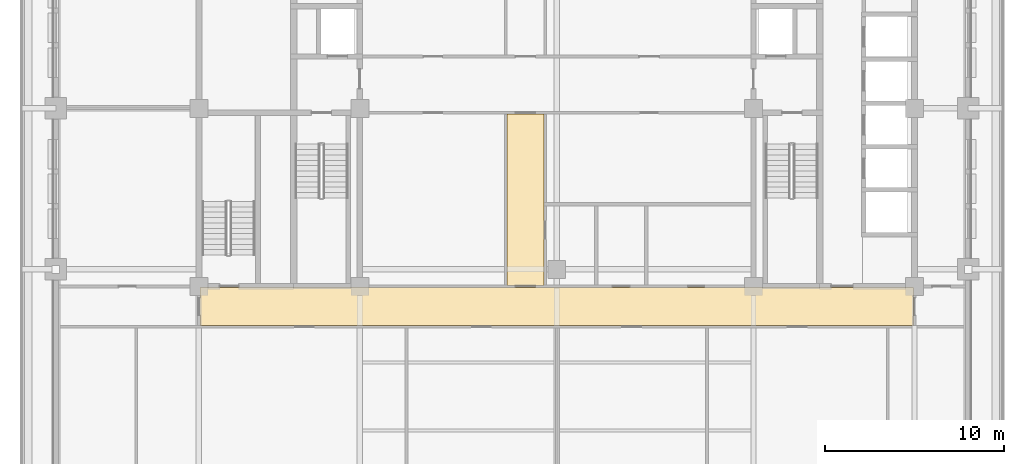
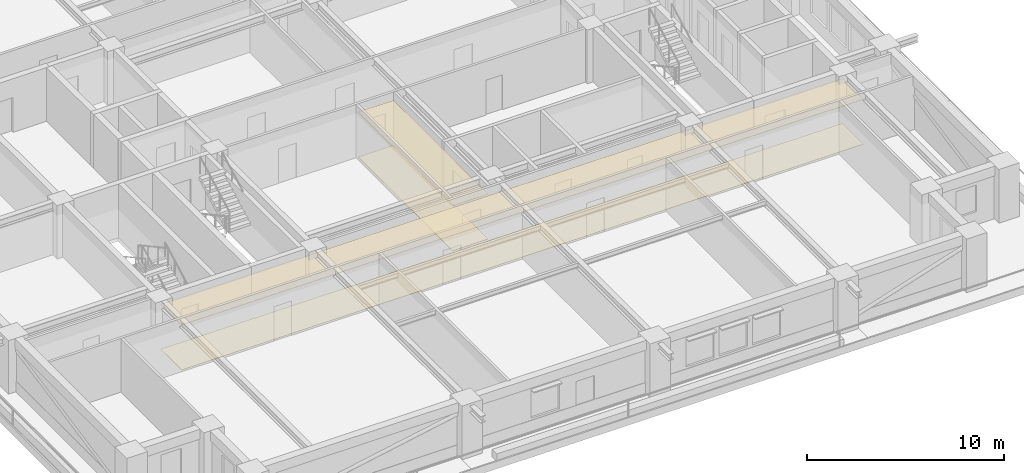
# One storey, part 11 of 14: 4 coverings.
"""IFC4 building model written with IfcOpenShell, lengths in metres."""

import ifcopenshell
import ifcopenshell.guid

model = None  # the IFC model being written
_history = None  # IfcOwnerHistory: only IFC2X3 demands one
_inside = {}  # id of a spatial element -> (the spatial element, [elements in it])
_under = {}  # id of a project, library or spatial element -> (it, [spatial elements below it])
_declared = {}  # id of a project -> (the project, [libraries it declares])
_typed = {}  # id of a type object -> (the type object, [elements of that type])
_made_of = {}  # id of a material, layer set ... -> (it, [elements and type objects made of it])


def new_model(schema):
    """Start an empty IFC model of exactly this schema.

    Asked for "IFC4X3", IfcOpenShell would pick the latest addendum, in which some entities
    have other attributes; the version numbers below select the first issue.
    IFC2X3 requires an IfcOwnerHistory on every rooted entity: one is made here for all.
    """
    global model, _history
    if schema == "IFC4X3":
        model = ifcopenshell.file(schema_version=(4, 3, 0, 0))
    else:
        model = ifcopenshell.file(schema=schema)
    _inside.clear()
    _under.clear()
    _declared.clear()
    _typed.clear()
    _made_of.clear()
    _history = None
    if model.schema == "IFC2X3":
        org = make("IfcOrganization", Name="unknown")
        user = make(
            "IfcPersonAndOrganization",
            ThePerson=make("IfcPerson", FamilyName="unknown"),
            TheOrganization=org,
        )
        app = make(
            "IfcApplication",
            ApplicationDeveloper=org,
            Version="unknown",
            ApplicationFullName="unknown",
            ApplicationIdentifier="unknown",
        )
        _history = make(
            "IfcOwnerHistory",
            OwningUser=user,
            OwningApplication=app,
            ChangeAction="ADDED",
            CreationDate=0,
        )
    return model


def make(cls, **values):
    """One entity of the class cls with the attributes given. An attribute that is None is left unset."""
    return model.create_entity(
        cls, **{name: value for name, value in values.items() if value is not None}
    )


def rooted(cls, **values):
    """An entity with a GlobalId (a new one), such as an element, a storey or a relation."""
    return make(cls, GlobalId=ifcopenshell.guid.new(), OwnerHistory=_history, **values)


def si_unit(unit_type, name, prefix=None):
    """IfcSIUnit, for example si_unit("LENGTHUNIT", "METRE", prefix="MILLI")."""
    return make("IfcSIUnit", UnitType=unit_type, Prefix=prefix, Name=name)


def assignment(units):
    """IfcUnitAssignment: the units of a project."""
    return None if units is None else make("IfcUnitAssignment", Units=units)


def point(xyz):
    """IfcCartesianPoint."""
    return None if xyz is None else make("IfcCartesianPoint", Coordinates=xyz)


def direction(xyz):
    """IfcDirection."""
    return None if xyz is None else make("IfcDirection", DirectionRatios=xyz)


def frame(location, z_axis=None, x_axis=None):
    """IfcAxis2Placement3D, a coordinate frame: its origin and axes. An axis left out is left unset."""
    return make(
        "IfcAxis2Placement3D",
        Location=point(location),
        Axis=direction(z_axis),
        RefDirection=direction(x_axis),
    )


def origin():
    """The frame at (0, 0, 0) with its axes left unset."""
    return frame((0.0, 0.0, 0.0))


def place(relative_to, where):
    """IfcLocalPlacement: puts the frame where relative to a parent placement (None: the world)."""
    return make(
        "IfcLocalPlacement", PlacementRelTo=relative_to, RelativePlacement=where
    )


def context(
    kind, dimensions, precision=None, world=None, true_north=None, identifier=None
):
    """IfcGeometricRepresentationContext, for example the 3D "Model" context."""
    return make(
        "IfcGeometricRepresentationContext",
        ContextIdentifier=identifier,
        ContextType=kind,
        CoordinateSpaceDimension=dimensions,
        Precision=precision,
        WorldCoordinateSystem=world,
        TrueNorth=true_north,
    )


def subcontext(parent, identifier, kind, view, scale=None):
    """IfcGeometricRepresentationSubContext, for example "Body" below "Model"."""
    return make(
        "IfcGeometricRepresentationSubContext",
        ContextIdentifier=identifier,
        ContextType=kind,
        ParentContext=parent,
        TargetScale=scale,
        TargetView=view,
    )


def project(units=None, contexts=None):
    """IfcProject with its units and contexts."""
    return rooted(
        "IfcProject",
        Name="project",
        RepresentationContexts=contexts,
        UnitsInContext=assignment(units),
    )


def spatial(cls, under=None, at=None, **own):
    """A site, building, storey or space (cls), placed at a placement, below another one or the project."""
    s = rooted(cls, ObjectPlacement=at, **own)
    if under is not None:
        _under.setdefault(under.id(), (under, []))[1].append(s)
    return s


def polyline(points):
    """IfcPolyline through the points."""
    return make("IfcPolyline", Points=[point(p) for p in points])


def outline(outer, holes=None, kind="AREA"):
    """IfcArbitraryClosedProfileDef: a profile drawn as a closed curve; with holes, ...WithVoids."""
    if holes is None:
        return make("IfcArbitraryClosedProfileDef", ProfileType=kind, OuterCurve=outer)
    return make(
        "IfcArbitraryProfileDefWithVoids",
        ProfileType=kind,
        OuterCurve=outer,
        InnerCurves=holes,
    )


def extrude(swept, where, along, depth):
    """IfcExtrudedAreaSolid: the profile swept, set in the frame where, extruded along a direction by depth."""
    return make(
        "IfcExtrudedAreaSolid",
        SweptArea=swept,
        Position=where,
        ExtrudedDirection=direction(along),
        Depth=depth,
    )


def shape(context_of_items, identifier, shape_type, items):
    """IfcShapeRepresentation: the items that make up one representation, for example the "Body"."""
    return make(
        "IfcShapeRepresentation",
        ContextOfItems=context_of_items,
        RepresentationIdentifier=identifier,
        RepresentationType=shape_type,
        Items=items,
    )


def material(Name=None, Category=None):
    """IfcMaterial."""
    return make("IfcMaterial", Name=Name, Category=Category)


def layer(
    of_material, thickness, ventilated=None, Name=None, Category=None, Priority=None
):
    """IfcMaterialLayer: one layer of a wall or slab, of a material (None: an air gap)."""
    return make(
        "IfcMaterialLayer",
        Material=of_material,
        LayerThickness=thickness,
        IsVentilated=ventilated,
        Name=Name,
        Category=Category,
        Priority=Priority,
    )


def layer_set(layers, Name=None):
    """IfcMaterialLayerSet."""
    return make("IfcMaterialLayerSet", MaterialLayers=layers, LayerSetName=Name)


def made_of(thing, what):
    """Note that an element or type object is made of a material, layer set ...; save() writes the relation."""
    if what is not None:
        _made_of.setdefault(what.id(), (what, []))[1].append(thing)
    return thing


def type_object(cls, material=None, **own):
    """A type object (cls), such as IfcWallType, which elements share."""
    return made_of(rooted(cls, **own), material)


def element(
    cls,
    number,
    at=None,
    inside=None,
    cuts=None,
    type_object=None,
    material=None,
    context=None,
    identifier="Body",
    shape_type=None,
    held_by="IfcProductDefinitionShape",
    body=None,
    shapes=None,
    **own,
):
    """One element of the class cls, such as IfcWall. Its Tag is "e" and its number.

    at: its placement. inside: the storey or other place that contains it. cuts: it is an
    opening in that element (IfcRelVoidsElement). A single representation is given by context,
    identifier, shape_type and body (its items); several are given by shapes. held_by: the class
    of the entity that holds the representations. save() writes the other relations.
    """
    e = rooted(cls, Tag="e%d" % number, ObjectPlacement=at, **own)
    if body is not None:
        shapes = [shape(context, identifier, shape_type, body)]
    if shapes is not None:
        e.Representation = make(held_by, Representations=shapes)
    if inside is not None:
        _inside.setdefault(inside.id(), (inside, []))[1].append(e)
    if cuts is not None:
        rooted(
            "IfcRelVoidsElement", RelatingBuildingElement=cuts, RelatedOpeningElement=e
        )
    if type_object is not None:
        _typed.setdefault(type_object.id(), (type_object, []))[1].append(e)
    return made_of(e, material)


def aggregate(whole, parts):
    """IfcRelAggregates: a whole, such as a stair, and the parts it consists of."""
    return rooted("IfcRelAggregates", RelatingObject=whole, RelatedObjects=parts)


def save(model, path):
    """Write the relations noted so far, then the file.

    IfcRelAggregates (storeys below a building ...), IfcRelContainedInSpatialStructure (elements
    in a storey), IfcRelDefinesByType, IfcRelAssociatesMaterial and IfcRelDeclares: one each for
    every whole, place, type object, material and project.
    """
    for whole, parts in _under.values():
        aggregate(whole, parts)
    for where, things in _inside.values():
        rooted(
            "IfcRelContainedInSpatialStructure",
            RelatedElements=things,
            RelatingStructure=where,
        )
    for kind, things in _typed.values():
        rooted("IfcRelDefinesByType", RelatedObjects=things, RelatingType=kind)
    for what, things in _made_of.values():
        rooted("IfcRelAssociatesMaterial", RelatedObjects=things, RelatingMaterial=what)
    for by, libraries in _declared.values():
        rooted("IfcRelDeclares", RelatingContext=by, RelatedDefinitions=libraries)
    model.write(path)


model = new_model("IFC4")

# Units and contexts
model_context = context("Model", 3, precision=1e-05, world=origin(), true_north=direction((0.0, 1.0)))
body_context = subcontext(model_context, "Body", "Model", "MODEL_VIEW")
ifc_project = project(units=[si_unit("LENGTHUNIT", "METRE"), si_unit("AREAUNIT", "SQUARE_METRE"), si_unit("VOLUMEUNIT", "CUBIC_METRE"), si_unit("PLANEANGLEUNIT", "RADIAN"), si_unit("MASSUNIT", "GRAM", prefix="KILO")], contexts=[model_context])

# Site, building, storey
site_placement = place(None, origin())
site = spatial("IfcSite", under=ifc_project, at=site_placement, CompositionType="ELEMENT")
building_placement = place(site_placement, origin())
building = spatial("IfcBuilding", under=site, at=building_placement, Name="Zulmaris Gate Convention Tower", CompositionType="ELEMENT")
storey_placement = place(building_placement, frame((0.0, 0.0, 135.6298828125)))
storey = spatial("IfcBuildingStorey", under=building, at=storey_placement, Name="L34", CompositionType="ELEMENT", Elevation=135.6298828125)

# Coverings
ifc_material_1 = material(Name="Mineral Fibre Acoustic Ceiling Tile")
ifc_layer_1 = layer(ifc_material_1, 0.02001953125, Name="Mineral Fibre Acoustic Ceiling Tile")
ifc_layer_set_1 = layer_set([ifc_layer_1], Name="Mineral Fibre Acoustic Ceiling Tile")
covering_type_1 = type_object("IfcCoveringType", Name="CLG-ACOUSTIC-600", PredefinedType="CEILING", material=ifc_layer_set_1)
covering_1_placement = place(storey_placement, frame((0.0, 0.0, 2.778076171875)))
element("IfcCovering", 1, at=covering_1_placement, inside=storey, type_object=covering_type_1, Name="CLG-L34-R26", PredefinedType="CEILING", context=body_context, shape_type="SweptSolid", body=[
    extrude(outline(polyline([(-19.93994140625, -12.139892578125), (19.93994140625, -12.139892578125), (19.93994140625, -10.010009765625), (-19.93994140625, -10.010009765625), (-19.93994140625, -12.139892578125)])), origin(), (0.0, 0.0, 1.0), 0.02001953125),
])
covering_2_placement = place(storey_placement, frame((0.0, 0.0, 2.778076171875)))
element("IfcCovering", 2, at=covering_2_placement, inside=storey, type_object=covering_type_1, Name="CLG-L34-R29", PredefinedType="CEILING", context=body_context, shape_type="SweptSolid", body=[
    extrude(outline(polyline([(-2.7900390625, -9.889892578125), (-0.7099609375, -9.889892578125), (-0.7099609375, -0.31005859375), (-2.7900390625, -0.31005859375), (-2.7900390625, -9.889892578125)])), origin(), (0.0, 0.0, 1.0), 0.02001953125),
])
ifc_material_2 = material(Name="Woven Acoustic Wool Carpet Tile")
ifc_layer_2 = layer(ifc_material_2, 0.02001953125, Name="Woven Acoustic Wool Carpet Tile")
ifc_layer_set_2 = layer_set([ifc_layer_2], Name="Woven Acoustic Wool Carpet Tile")
covering_type_2 = type_object("IfcCoveringType", Name="FLR-CARPET-12", PredefinedType="FLOORING", material=ifc_layer_set_2)
covering_3_placement = place(storey_placement, origin())
element("IfcCovering", 3, at=covering_3_placement, inside=storey, type_object=covering_type_2, Name="FLR-L34-R26", PredefinedType="FLOORING", context=body_context, shape_type="SweptSolid", body=[
    extrude(outline(polyline([(-19.93994140625, -12.139892578125), (19.93994140625, -12.139892578125), (19.93994140625, -10.010009765625), (-19.93994140625, -10.010009765625), (-19.93994140625, -12.139892578125)])), origin(), (0.0, 0.0, 1.0), 0.02001953125),
])
covering_4_placement = place(storey_placement, origin())
element("IfcCovering", 4, at=covering_4_placement, inside=storey, type_object=covering_type_2, Name="FLR-L34-R29", PredefinedType="FLOORING", context=body_context, shape_type="SweptSolid", body=[
    extrude(outline(polyline([(-2.7900390625, -9.889892578125), (-0.7099609375, -9.889892578125), (-0.7099609375, -0.31005859375), (-2.7900390625, -0.31005859375), (-2.7900390625, -9.889892578125)])), origin(), (0.0, 0.0, 1.0), 0.02001953125),
])

save(model, "model.ifc")
